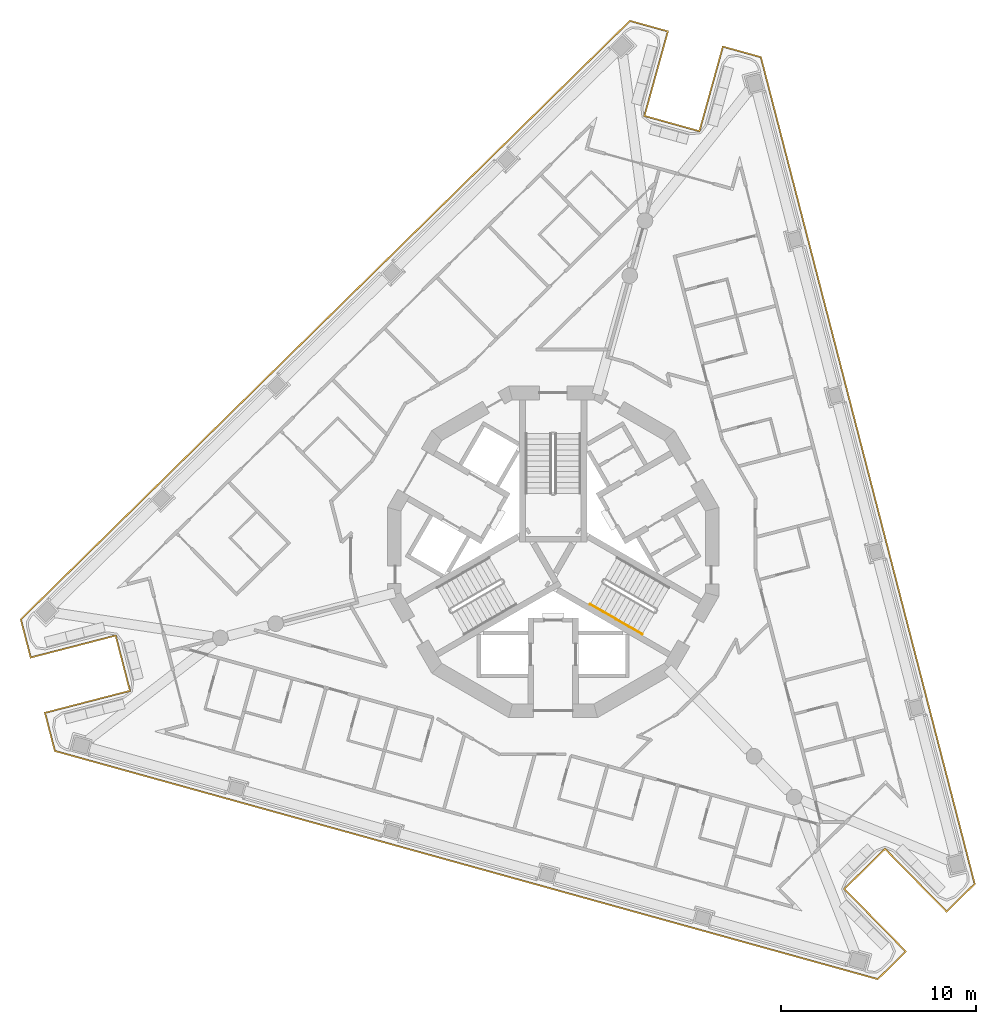
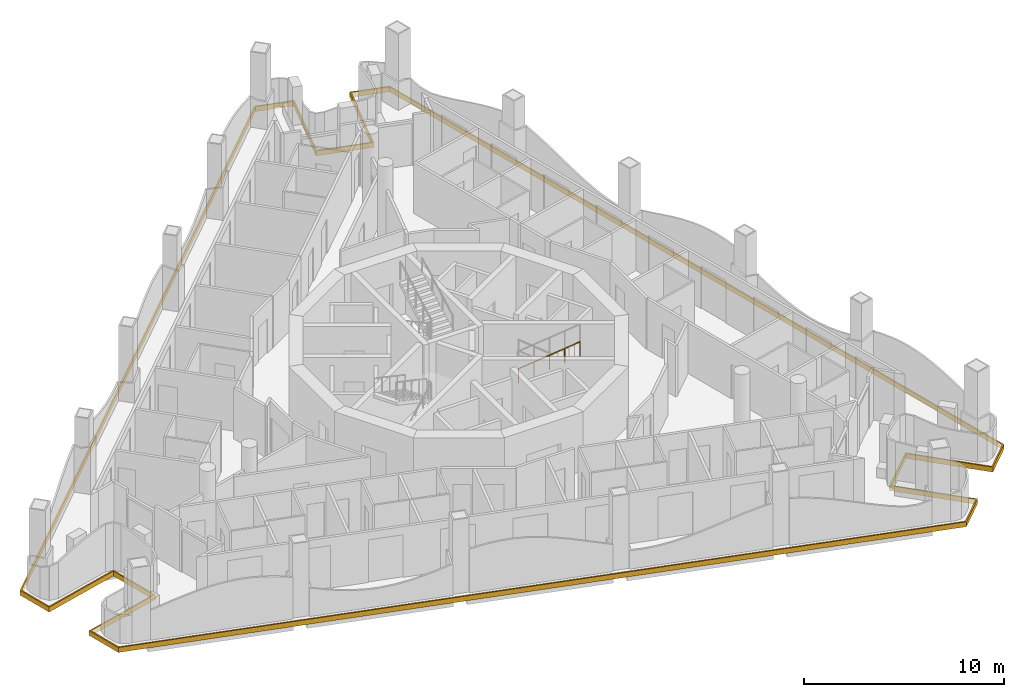
# One storey, part 12 of 15: 2 railings, 1 covering.
"""IFC4 building model written with IfcOpenShell, lengths in metres."""

from ifc_helpers import new_model, si_unit, direction, frame, origin, origin_2d, place, context, subcontext, project, spatial, polyline, circle, outline, extrude, material, layer, layer_set, type_object, element, save


model = new_model("IFC4")

# Units and contexts
model_context = context("Model", 3, precision=1e-05, world=origin(), true_north=direction((0.0, 1.0)))
body_context = subcontext(model_context, "Body", "Model", "MODEL_VIEW")
ifc_project = project(units=[si_unit("LENGTHUNIT", "METRE"), si_unit("AREAUNIT", "SQUARE_METRE"), si_unit("VOLUMEUNIT", "CUBIC_METRE"), si_unit("PLANEANGLEUNIT", "RADIAN"), si_unit("MASSUNIT", "GRAM", prefix="KILO")], contexts=[model_context])

# Site, building, storey
site_placement = place(None, origin())
site = spatial("IfcSite", under=ifc_project, at=site_placement, CompositionType="ELEMENT")
building_placement = place(site_placement, origin())
building = spatial("IfcBuilding", under=site, at=building_placement, Name="Trine Commons Tower", CompositionType="ELEMENT")
storey_placement = place(building_placement, frame((0.0, 0.0, 263.699951171875)))
storey = spatial("IfcBuildingStorey", under=building, at=storey_placement, Name="L69", CompositionType="ELEMENT", Elevation=263.699951171875)

# Covering
ifc_material_1 = material(Name="Limestone, honed", Category="masonry")
ifc_layer = layer(ifc_material_1, 0.074951171875)
ifc_layer_set = layer_set([ifc_layer], Name="Limestone, honed")
covering_type = type_object("IfcCoveringType", Name="Limestone spandrel panel 75", PredefinedType="CLADDING", material=ifc_layer_set)
covering_placement = place(storey_placement, frame((0.0, 0.0, -0.300048828125)))
element("IfcCovering", 1, at=covering_placement, inside=storey, type_object=covering_type, Name="Limestone spandrel panel 7-01", PredefinedType="CLADDING", context=body_context, shape_type="SweptSolid", body=[
    extrude(outline(polyline([(97.018310546875, 47.215087890625), (100.172607421875, 44.00537109375), (101.65771484375, 45.465087890625), (90.68359375, 87.899169921875), (88.677001953125, 88.45556640625), (87.474365234375, 84.119140625), (84.72802734375, 84.880859375), (85.9306640625, 89.21728515625), (83.923828125, 89.773681640625), (52.662109375, 59.052734375), (53.183349609375, 57.03662109375), (57.5400390625, 58.163330078125), (58.253662109375, 55.404052734375), (53.89697265625, 54.27734375), (54.418212890625, 52.26123046875), (96.654541015625, 40.548095703125), (98.1396484375, 42.0078125), (94.985595703125, 45.21728515625), (97.018310546875, 47.215087890625)]), holes=[polyline([(88.72900390625, 88.36328125), (90.621826171875, 87.83837890625), (101.57421875, 45.488037109375), (100.17333984375, 44.111572265625), (97.019287109375, 47.321044921875), (94.879638671875, 45.218505859375), (98.03369140625, 42.0087890625), (96.6328125, 40.632080078125), (54.47998046875, 52.322021484375), (53.98828125, 54.2236328125), (58.344970703125, 55.350341796875), (57.593994140625, 58.254638671875), (53.2373046875, 57.1279296875), (52.745361328125, 59.029541015625), (83.945556640625, 89.68994140625), (85.838134765625, 89.1650390625), (84.6357421875, 84.82861328125), (87.526611328125, 84.02685546875), (88.72900390625, 88.36328125)])]), origin(), (0.0, 0.0, 1.0), 0.300048828125),
])

# Railings
ifc_material_2 = material(Name="Stainless steel handrail", Category="steel")
railing_type = type_object("IfcRailingType", Name="Stair handrail, steel 900", PredefinedType="HANDRAIL", material=ifc_material_2)
railing_1_placement = place(storey_placement, frame((81.90234375, 59.81396484375, 1.949951171875)))
element("IfcRailing", 2, at=railing_1_placement, inside=storey, type_object=railing_type, Name="L69 ST3C stair handrail 3", PredefinedType="HANDRAIL", context=body_context, shape_type="SweptSolid", body=[
    extrude(circle(Radius=0.02099609375, at=origin_2d()), frame((0.0, 0.0, 0.87890625), z_axis=(0.763354580307, -0.440713956853, 0.472293333596), x_axis=(0.499992328818, 0.866029832698, 0.0)), (0.0, 0.0, 1.0), 1.747314453125),
    extrude(circle(Radius=0.01513671875, at=origin_2d()), origin(), (0.0, 0.0, 1.0), 0.85791015625),
    extrude(circle(Radius=0.01513671875, at=origin_2d()), frame((0.6669921875, -0.385009765625, 0.41259765625)), (0.0, 0.0, 1.0), 0.85791015625),
    extrude(circle(Radius=0.01513671875, at=origin_2d()), frame((1.333740234375, -0.77001953125, 0.8251953125)), (0.0, 0.0, 1.0), 0.85791015625),
])
railing_2_placement = place(storey_placement, frame((83.236083984375, 59.0439453125, 2.775146484375)))
element("IfcRailing", 3, at=railing_2_placement, inside=storey, type_object=railing_type, Name="L69 ST3C stair handrail 4", PredefinedType="HANDRAIL", context=body_context, shape_type="SweptSolid", body=[
    extrude(circle(Radius=0.02099609375, at=origin_2d()), frame((0.0, 0.0, 0.87890625), z_axis=(0.76340495495, -0.440743040072, 0.472184759798), x_axis=(0.499992328818, 0.866029832698, 0.0)), (0.0, 0.0, 1.0), 1.7470703125),
    extrude(circle(Radius=0.01513671875, at=origin_2d()), origin(), (0.0, 0.0, 1.0), 0.85791015625),
    extrude(circle(Radius=0.01513671875, at=origin_2d()), frame((0.6669921875, -0.385009765625, 0.41259765625)), (0.0, 0.0, 1.0), 0.85791015625),
    extrude(circle(Radius=0.01513671875, at=origin_2d()), frame((1.333740234375, -0.77001953125, 0.824951171875)), (0.0, 0.0, 1.0), 0.85791015625),
])

save(model, "model.ifc")
